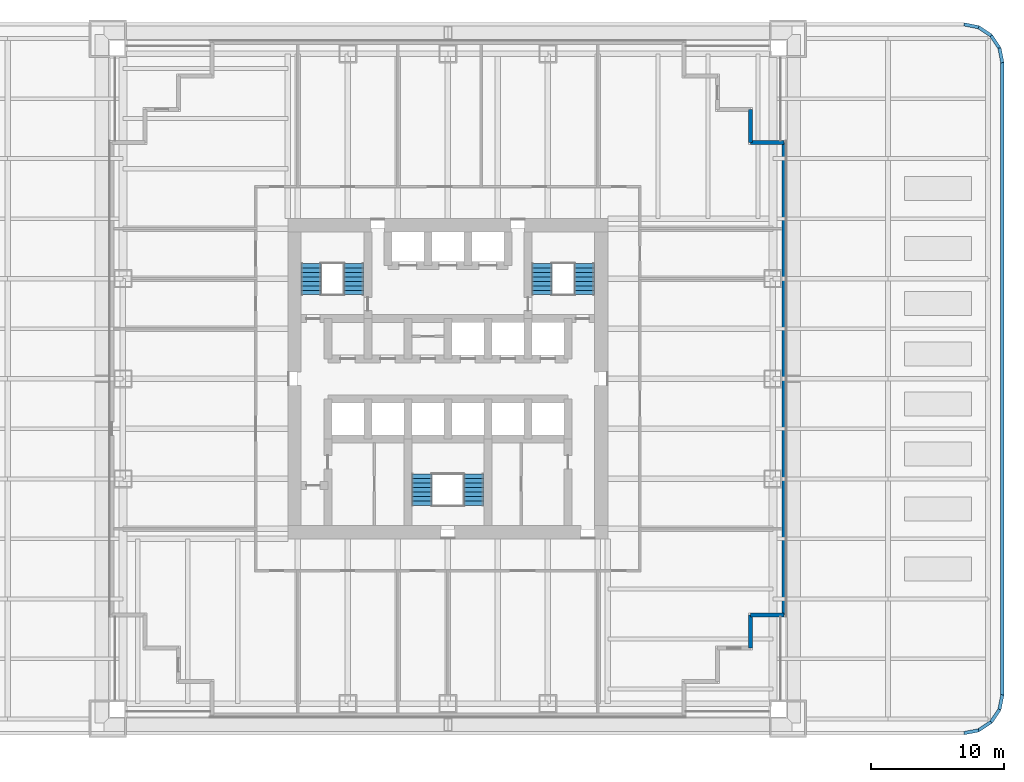
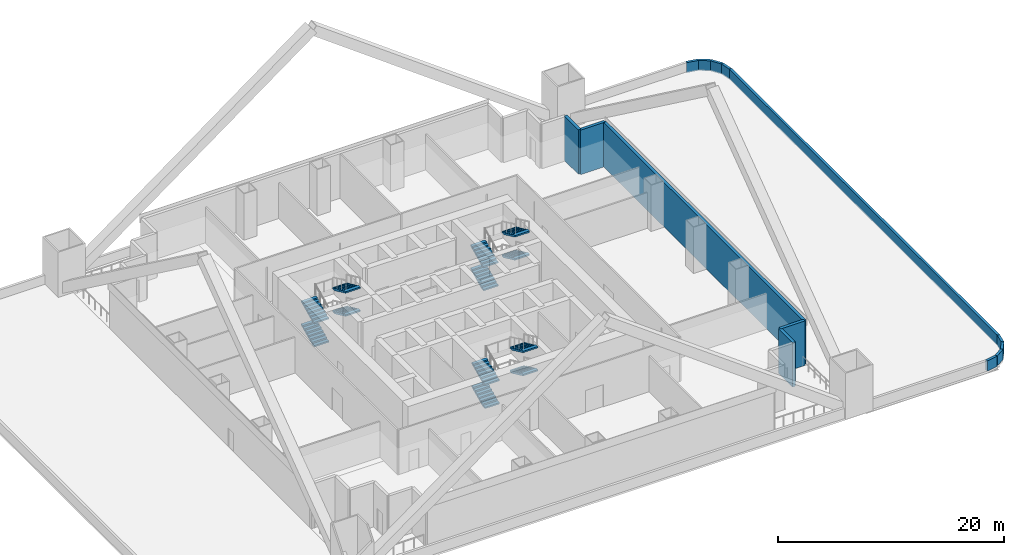
# One storey, part 8 of 10: 14 walls, 12 stair flights, 3 elements without a shape of their own.
"""IFC4 building model written with IfcOpenShell, lengths in metres."""

from ifc_helpers import new_model, si_unit, direction, frame, frame_2d, origin, place, context, subcontext, project, spatial, polyline, rectangle, outline, extrude, material, layer, layer_set, type_object, element, aggregate, save


model = new_model("IFC4")

# Units and contexts
model_context = context("Model", 3, precision=1e-05, world=origin(), true_north=direction((0.0, 1.0)))
body_context = subcontext(model_context, "Body", "Model", "MODEL_VIEW")
ifc_project = project(units=[si_unit("LENGTHUNIT", "METRE"), si_unit("AREAUNIT", "SQUARE_METRE"), si_unit("VOLUMEUNIT", "CUBIC_METRE"), si_unit("PLANEANGLEUNIT", "RADIAN"), si_unit("MASSUNIT", "GRAM", prefix="KILO")], contexts=[model_context])

# Site, building, storey
site_placement = place(None, origin())
site = spatial("IfcSite", under=ifc_project, at=site_placement, CompositionType="ELEMENT")
building_placement = place(site_placement, origin())
building = spatial("IfcBuilding", under=site, at=building_placement, Name="Tarangal Relay Tower", CompositionType="ELEMENT")
storey_placement = place(building_placement, frame((0.0, 0.0, 23.39990234375)))
storey = spatial("IfcBuildingStorey", under=building, at=storey_placement, Name="L04", CompositionType="ELEMENT", Elevation=23.39990234375)

# Walls
ifc_material_1 = material(Name="Insulated precast concrete fc' 40 MPa", Category="concrete")
ifc_layer_1 = layer(ifc_material_1, 0.300048828125)
ifc_layer_set_1 = layer_set([ifc_layer_1], Name="Insulated precast concrete fc' 40 MPa")
wall_type_1 = type_object("IfcWallType", Name="Facade wall precast 300", PredefinedType="SOLIDWALL", material=ifc_layer_set_1)
for number, where, z_axis, x_axis, name in (
    (1, (22.699951171875, 20.199951171875, 0.0), (0.0, 0.0, 1.0), (0.0, -1.0, 0.0), "Facade wall N facade L04"),
    (2, (22.699951171875, 17.699951171875, 0.0), (0.0, 0.0, 1.0), (1.0, 0.0, 0.0), "Facade wall N facade L04"),
):
    element("IfcWall", number, at=place(storey_placement, frame(where, z_axis=z_axis, x_axis=x_axis)), inside=storey, type_object=wall_type_1, Name=name, PredefinedType="SOLIDWALL", context=body_context, shape_type="SweptSolid", body=[
        extrude(rectangle(XDim=2.5, YDim=0.300048828125, at=frame_2d((1.25, 0.0))), origin(), (0.0, 0.0, 1.0), 4.800048828125),
    ])
wall_1_placement = place(storey_placement, frame((25.199951171875, 17.699951171875, 0.0), z_axis=(0.0, 0.0, 1.0), x_axis=(0.0, -1.0, 0.0)))
element("IfcWall", 3, at=wall_1_placement, inside=storey, type_object=wall_type_1, Name="Facade wall E facade L04", PredefinedType="SOLIDWALL", context=body_context, shape_type="SweptSolid", body=[
    extrude(rectangle(XDim=35.39990234375, YDim=0.300048828125, at=frame_2d((17.699951171875, 0.0))), origin(), (0.0, 0.0, 1.0), 4.800048828125),
])
for number, where, z_axis, x_axis, name in (
    (4, (25.199951171875, -17.699951171875, 0.0), (0.0, 0.0, 1.0), (-1.0, 0.0, 0.0), "Facade wall E facade L04"),
    (5, (22.699951171875, -17.699951171875, 0.0), (0.0, 0.0, 1.0), (0.0, -1.0, 0.0), "Facade wall E facade L04"),
):
    element("IfcWall", number, at=place(storey_placement, frame(where, z_axis=z_axis, x_axis=x_axis)), inside=storey, type_object=wall_type_1, Name=name, PredefinedType="SOLIDWALL", context=body_context, shape_type="SweptSolid", body=[
        extrude(rectangle(XDim=2.5, YDim=0.300048828125, at=frame_2d((1.25, 0.0))), origin(), (0.0, 0.0, 1.0), 4.800048828125),
    ])
ifc_material_2 = material(Name="Concrete parapet with metal coping", Category="concrete")
ifc_layer_2 = layer(ifc_material_2, 0.25)
ifc_layer_set_2 = layer_set([ifc_layer_2], Name="Parapet 250")
wall_type_2 = type_object("IfcWallType", Name="Parapet 250", PredefinedType="PARAPET", material=ifc_layer_set_2)
for number, where, z_axis, x_axis, name in (
    (6, (41.574951171875, 23.699951171875, 0.0), (0.0, 0.0, 1.0), (-0.194986063374, 0.980806012976, 0.0), "Podium roof parapet PP1"),
    (7, (41.356201171875, 24.80029296875, 0.0), (0.0, 0.0, 1.0), (-0.555654132075, 0.831413546623, 0.0), "Podium roof parapet PP1"),
    (8, (40.73291015625, 25.73291015625, 0.0), (0.0, 0.0, 1.0), (-0.831413546623, 0.555654132075, 0.0), "Podium roof parapet PP1"),
    (9, (39.80029296875, 26.356201171875, 0.0), (0.0, 0.0, 1.0), (-0.980806012976, 0.194986063374, 0.0), "Podium roof parapet PP1"),
    (10, (38.699951171875, -26.574951171875, 0.0), (0.0, 0.0, 1.0), (0.980806012976, 0.194986063374, 0.0), "Podium roof parapet PP1"),
    (11, (39.80029296875, -26.356201171875, 0.0), (0.0, 0.0, 1.0), (0.831413546623, 0.555654132075, 0.0), "Podium roof parapet PP1"),
    (12, (40.73291015625, -25.73291015625, 0.0), (0.0, 0.0, 1.0), (0.555654132075, 0.831413546623, 0.0), "Podium roof parapet PP1"),
    (13, (41.356201171875, -24.80029296875, 0.0), (0.0, 0.0, 1.0), (0.194986063374, 0.980806012976, 0.0), "Podium roof parapet PP1"),
):
    element("IfcWall", number, at=place(storey_placement, frame(where, z_axis=z_axis, x_axis=x_axis)), inside=storey, type_object=wall_type_2, Name=name, PredefinedType="PARAPET", context=body_context, shape_type="SweptSolid", body=[
        extrude(rectangle(XDim=1.121826171875, YDim=0.25, at=frame_2d((0.56103515625, 0.0))), origin(), (0.0, 0.0, 1.0), 1.10009765625),
    ])
wall_2_placement = place(storey_placement, frame((41.574951171875, -23.699951171875, 0.0), z_axis=(0.0, 0.0, 1.0), x_axis=(0.0, 1.0, 0.0)))
element("IfcWall", 14, at=wall_2_placement, inside=storey, type_object=wall_type_2, Name="Podium roof parapet PP1", PredefinedType="PARAPET", context=body_context, shape_type="SweptSolid", body=[
    extrude(rectangle(XDim=47.39990234375, YDim=0.25, at=frame_2d((23.699951171875, 0.0))), origin(), (0.0, 0.0, 1.0), 1.10009765625),
])

# Stair, stair flights
ifc_material_3 = material(Name="Steel ASTM A992 stair flight", Category="steel")
stair_type = type_object("IfcStairType", Name="Core stair 1500", PredefinedType="HALF_TURN_STAIR", material=ifc_material_3)
stair_1_placement = place(storey_placement, origin())
stair_1 = element("IfcStair", 15, at=stair_1_placement, inside=storey, type_object=stair_type, Name="Stair ST-A L04", PredefinedType="HALF_TURN_STAIR")
stair_flight_type = type_object("IfcStairFlightType", Name="Steel stair flight 1500, 8 risers 156 x 335", PredefinedType="STRAIGHT", material=ifc_material_3)
stair_flight_1_placement = place(storey_placement, frame((-10.25, 6.300048828125, 0.0), z_axis=(0.0, 0.0, 1.0), x_axis=(0.0, 1.0, 0.0)))
stair_flight_1 = element("IfcStairFlight", 16, at=stair_flight_1_placement, type_object=stair_flight_type, Name="ST-A flight 1", NumberOfRisers=8, NumberOfTreads=7, PredefinedType="STRAIGHT", RiserHeight=0.15625, TreadLength=0.335, context=body_context, shape_type="SweptSolid", body=[
    extrude(outline(polyline([(0.0, 0.0), (0.0, 0.15625), (0.3349609375, 0.15625), (0.3349609375, 0.3125), (0.669921875, 0.3125), (0.669921875, 0.46875), (1.0048828125, 0.46875), (1.0048828125, 0.625), (1.340087890625, 0.625), (1.340087890625, 0.78125), (1.675048828125, 0.78125), (1.675048828125, 0.9375), (2.010009765625, 0.9375), (2.010009765625, 1.09375), (2.344970703125, 1.09375), (2.344970703125, 1.25), (2.344970703125, 0.92822265625), (0.354736328125, 0.0), (0.0, 0.0)])), frame((0.0, 0.75, 0.0), z_axis=(0.0, -1.0, 0.0), x_axis=(1.0, 0.0, 0.0)), (0.0, 0.0, 1.0), 1.5),
])
stair_flight_2_placement = place(storey_placement, frame((-7.050048828125, 8.64501953125, 1.25), z_axis=(0.0, 0.0, 1.0), x_axis=(0.0, -1.0, 0.0)))
stair_flight_2 = element("IfcStairFlight", 17, at=stair_flight_2_placement, type_object=stair_flight_type, Name="ST-A flight 2", NumberOfRisers=8, NumberOfTreads=7, PredefinedType="STRAIGHT", RiserHeight=0.15625, TreadLength=0.335, context=body_context, shape_type="SweptSolid", body=[
    extrude(outline(polyline([(0.0, 0.0), (0.0, 0.15625), (0.3349609375, 0.15625), (0.3349609375, 0.3125), (0.669921875, 0.3125), (0.669921875, 0.46875), (1.0048828125, 0.46875), (1.0048828125, 0.625), (1.340087890625, 0.625), (1.340087890625, 0.78125), (1.675048828125, 0.78125), (1.675048828125, 0.9375), (2.010009765625, 0.9375), (2.010009765625, 1.09375), (2.344970703125, 1.09375), (2.344970703125, 1.25), (2.344970703125, 0.92822265625), (0.354736328125, 0.0), (0.0, 0.0)])), frame((0.0, 0.75, 0.0), z_axis=(0.0, -1.0, 0.0), x_axis=(1.0, 0.0, 0.0)), (0.0, 0.0, 1.0), 1.5),
])
stair_flight_3_placement = place(storey_placement, frame((-10.25, 6.300048828125, 2.5), z_axis=(0.0, 0.0, 1.0), x_axis=(0.0, 1.0, 0.0)))
stair_flight_3 = element("IfcStairFlight", 18, at=stair_flight_3_placement, type_object=stair_flight_type, Name="ST-A flight 3", NumberOfRisers=8, NumberOfTreads=7, PredefinedType="STRAIGHT", RiserHeight=0.15625, TreadLength=0.335, context=body_context, shape_type="SweptSolid", body=[
    extrude(outline(polyline([(0.0, 0.0), (0.0, 0.15625), (0.3349609375, 0.15625), (0.3349609375, 0.3125), (0.669921875, 0.3125), (0.669921875, 0.46875), (1.0048828125, 0.46875), (1.0048828125, 0.625), (1.340087890625, 0.625), (1.340087890625, 0.78125), (1.675048828125, 0.78125), (1.675048828125, 0.9375), (2.010009765625, 0.9375), (2.010009765625, 1.09375), (2.344970703125, 1.09375), (2.344970703125, 1.25), (2.344970703125, 0.92822265625), (0.354736328125, 0.0), (0.0, 0.0)])), frame((0.0, 0.75, 0.0), z_axis=(0.0, -1.0, 0.0), x_axis=(1.0, 0.0, 0.0)), (0.0, 0.0, 1.0), 1.5),
])
stair_flight_4_placement = place(storey_placement, frame((-7.050048828125, 8.64501953125, 3.75), z_axis=(0.0, 0.0, 1.0), x_axis=(0.0, -1.0, 0.0)))
stair_flight_4 = element("IfcStairFlight", 19, at=stair_flight_4_placement, type_object=stair_flight_type, Name="ST-A flight 4", NumberOfRisers=8, NumberOfTreads=7, PredefinedType="STRAIGHT", RiserHeight=0.15625, TreadLength=0.335, context=body_context, shape_type="SweptSolid", body=[
    extrude(outline(polyline([(0.0, 0.0), (0.0, 0.15625), (0.3349609375, 0.15625), (0.3349609375, 0.3125), (0.669921875, 0.3125), (0.669921875, 0.46875), (1.0048828125, 0.46875), (1.0048828125, 0.625), (1.340087890625, 0.625), (1.340087890625, 0.78125), (1.675048828125, 0.78125), (1.675048828125, 0.9375), (2.010009765625, 0.9375), (2.010009765625, 1.09375), (2.344970703125, 1.09375), (2.344970703125, 1.25), (2.344970703125, 0.92822265625), (0.354736328125, 0.0), (0.0, 0.0)])), frame((0.0, 0.75, 0.0), z_axis=(0.0, -1.0, 0.0), x_axis=(1.0, 0.0, 0.0)), (0.0, 0.0, 1.0), 1.5),
])
aggregate(stair_1, [stair_flight_1, stair_flight_2, stair_flight_3, stair_flight_4])

stair_2_placement = place(storey_placement, origin())
stair_2 = element("IfcStair", 20, at=stair_2_placement, inside=storey, type_object=stair_type, Name="Stair ST-B L04", PredefinedType="HALF_TURN_STAIR")
stair_flight_5_placement = place(storey_placement, frame((7.050048828125, 6.300048828125, 0.0), z_axis=(0.0, 0.0, 1.0), x_axis=(0.0, 1.0, 0.0)))
stair_flight_5 = element("IfcStairFlight", 21, at=stair_flight_5_placement, type_object=stair_flight_type, Name="ST-B flight 1", NumberOfRisers=8, NumberOfTreads=7, PredefinedType="STRAIGHT", RiserHeight=0.15625, TreadLength=0.335, context=body_context, shape_type="SweptSolid", body=[
    extrude(outline(polyline([(0.0, 0.0), (0.0, 0.15625), (0.3349609375, 0.15625), (0.3349609375, 0.3125), (0.669921875, 0.3125), (0.669921875, 0.46875), (1.0048828125, 0.46875), (1.0048828125, 0.625), (1.340087890625, 0.625), (1.340087890625, 0.78125), (1.675048828125, 0.78125), (1.675048828125, 0.9375), (2.010009765625, 0.9375), (2.010009765625, 1.09375), (2.344970703125, 1.09375), (2.344970703125, 1.25), (2.344970703125, 0.92822265625), (0.354736328125, 0.0), (0.0, 0.0)])), frame((0.0, 0.75, 0.0), z_axis=(0.0, -1.0, 0.0), x_axis=(1.0, 0.0, 0.0)), (0.0, 0.0, 1.0), 1.5),
])
stair_flight_6_placement = place(storey_placement, frame((10.25, 8.64501953125, 1.25), z_axis=(0.0, 0.0, 1.0), x_axis=(0.0, -1.0, 0.0)))
stair_flight_6 = element("IfcStairFlight", 22, at=stair_flight_6_placement, type_object=stair_flight_type, Name="ST-B flight 2", NumberOfRisers=8, NumberOfTreads=7, PredefinedType="STRAIGHT", RiserHeight=0.15625, TreadLength=0.335, context=body_context, shape_type="SweptSolid", body=[
    extrude(outline(polyline([(0.0, 0.0), (0.0, 0.15625), (0.3349609375, 0.15625), (0.3349609375, 0.3125), (0.669921875, 0.3125), (0.669921875, 0.46875), (1.0048828125, 0.46875), (1.0048828125, 0.625), (1.340087890625, 0.625), (1.340087890625, 0.78125), (1.675048828125, 0.78125), (1.675048828125, 0.9375), (2.010009765625, 0.9375), (2.010009765625, 1.09375), (2.344970703125, 1.09375), (2.344970703125, 1.25), (2.344970703125, 0.92822265625), (0.354736328125, 0.0), (0.0, 0.0)])), frame((0.0, 0.75, 0.0), z_axis=(0.0, -1.0, 0.0), x_axis=(1.0, 0.0, 0.0)), (0.0, 0.0, 1.0), 1.5),
])
stair_flight_7_placement = place(storey_placement, frame((7.050048828125, 6.300048828125, 2.5), z_axis=(0.0, 0.0, 1.0), x_axis=(0.0, 1.0, 0.0)))
stair_flight_7 = element("IfcStairFlight", 23, at=stair_flight_7_placement, type_object=stair_flight_type, Name="ST-B flight 3", NumberOfRisers=8, NumberOfTreads=7, PredefinedType="STRAIGHT", RiserHeight=0.15625, TreadLength=0.335, context=body_context, shape_type="SweptSolid", body=[
    extrude(outline(polyline([(0.0, 0.0), (0.0, 0.15625), (0.3349609375, 0.15625), (0.3349609375, 0.3125), (0.669921875, 0.3125), (0.669921875, 0.46875), (1.0048828125, 0.46875), (1.0048828125, 0.625), (1.340087890625, 0.625), (1.340087890625, 0.78125), (1.675048828125, 0.78125), (1.675048828125, 0.9375), (2.010009765625, 0.9375), (2.010009765625, 1.09375), (2.344970703125, 1.09375), (2.344970703125, 1.25), (2.344970703125, 0.92822265625), (0.354736328125, 0.0), (0.0, 0.0)])), frame((0.0, 0.75, 0.0), z_axis=(0.0, -1.0, 0.0), x_axis=(1.0, 0.0, 0.0)), (0.0, 0.0, 1.0), 1.5),
])
stair_flight_8_placement = place(storey_placement, frame((10.25, 8.64501953125, 3.75), z_axis=(0.0, 0.0, 1.0), x_axis=(0.0, -1.0, 0.0)))
stair_flight_8 = element("IfcStairFlight", 24, at=stair_flight_8_placement, type_object=stair_flight_type, Name="ST-B flight 4", NumberOfRisers=8, NumberOfTreads=7, PredefinedType="STRAIGHT", RiserHeight=0.15625, TreadLength=0.335, context=body_context, shape_type="SweptSolid", body=[
    extrude(outline(polyline([(0.0, 0.0), (0.0, 0.15625), (0.3349609375, 0.15625), (0.3349609375, 0.3125), (0.669921875, 0.3125), (0.669921875, 0.46875), (1.0048828125, 0.46875), (1.0048828125, 0.625), (1.340087890625, 0.625), (1.340087890625, 0.78125), (1.675048828125, 0.78125), (1.675048828125, 0.9375), (2.010009765625, 0.9375), (2.010009765625, 1.09375), (2.344970703125, 1.09375), (2.344970703125, 1.25), (2.344970703125, 0.92822265625), (0.354736328125, 0.0), (0.0, 0.0)])), frame((0.0, 0.75, 0.0), z_axis=(0.0, -1.0, 0.0), x_axis=(1.0, 0.0, 0.0)), (0.0, 0.0, 1.0), 1.5),
])
aggregate(stair_2, [stair_flight_5, stair_flight_6, stair_flight_7, stair_flight_8])

stair_3_placement = place(storey_placement, origin())
stair_3 = element("IfcStair", 25, at=stair_3_placement, inside=storey, type_object=stair_type, Name="Stair ST-C L04", PredefinedType="HALF_TURN_STAIR")
stair_flight_9_placement = place(storey_placement, frame((-1.949951171875, -9.5, 0.0), z_axis=(0.0, 0.0, 1.0), x_axis=(0.0, 1.0, 0.0)))
stair_flight_9 = element("IfcStairFlight", 26, at=stair_flight_9_placement, type_object=stair_flight_type, Name="ST-C flight 1", NumberOfRisers=8, NumberOfTreads=7, PredefinedType="STRAIGHT", RiserHeight=0.15625, TreadLength=0.335, context=body_context, shape_type="SweptSolid", body=[
    extrude(outline(polyline([(0.0, 0.0), (0.0, 0.15625), (0.3349609375, 0.15625), (0.3349609375, 0.3125), (0.669921875, 0.3125), (0.669921875, 0.46875), (1.0048828125, 0.46875), (1.0048828125, 0.625), (1.340087890625, 0.625), (1.340087890625, 0.78125), (1.675048828125, 0.78125), (1.675048828125, 0.9375), (2.010009765625, 0.9375), (2.010009765625, 1.09375), (2.344970703125, 1.09375), (2.344970703125, 1.25), (2.344970703125, 0.92822265625), (0.354736328125, 0.0), (0.0, 0.0)])), frame((0.0, 0.75, 0.0), z_axis=(0.0, -1.0, 0.0), x_axis=(1.0, 0.0, 0.0)), (0.0, 0.0, 1.0), 1.5),
])
stair_flight_10_placement = place(storey_placement, frame((1.949951171875, -7.155029296875, 1.25), z_axis=(0.0, 0.0, 1.0), x_axis=(0.0, -1.0, 0.0)))
stair_flight_10 = element("IfcStairFlight", 27, at=stair_flight_10_placement, type_object=stair_flight_type, Name="ST-C flight 2", NumberOfRisers=8, NumberOfTreads=7, PredefinedType="STRAIGHT", RiserHeight=0.15625, TreadLength=0.335, context=body_context, shape_type="SweptSolid", body=[
    extrude(outline(polyline([(0.0, 0.0), (0.0, 0.15625), (0.3349609375, 0.15625), (0.3349609375, 0.3125), (0.669921875, 0.3125), (0.669921875, 0.46875), (1.0048828125, 0.46875), (1.0048828125, 0.625), (1.340087890625, 0.625), (1.340087890625, 0.78125), (1.675048828125, 0.78125), (1.675048828125, 0.9375), (2.010009765625, 0.9375), (2.010009765625, 1.09375), (2.344970703125, 1.09375), (2.344970703125, 1.25), (2.344970703125, 0.92822265625), (0.354736328125, 0.0), (0.0, 0.0)])), frame((0.0, 0.75, 0.0), z_axis=(0.0, -1.0, 0.0), x_axis=(1.0, 0.0, 0.0)), (0.0, 0.0, 1.0), 1.5),
])
stair_flight_11_placement = place(storey_placement, frame((-1.949951171875, -9.5, 2.5), z_axis=(0.0, 0.0, 1.0), x_axis=(0.0, 1.0, 0.0)))
stair_flight_11 = element("IfcStairFlight", 28, at=stair_flight_11_placement, type_object=stair_flight_type, Name="ST-C flight 3", NumberOfRisers=8, NumberOfTreads=7, PredefinedType="STRAIGHT", RiserHeight=0.15625, TreadLength=0.335, context=body_context, shape_type="SweptSolid", body=[
    extrude(outline(polyline([(0.0, 0.0), (0.0, 0.15625), (0.3349609375, 0.15625), (0.3349609375, 0.3125), (0.669921875, 0.3125), (0.669921875, 0.46875), (1.0048828125, 0.46875), (1.0048828125, 0.625), (1.340087890625, 0.625), (1.340087890625, 0.78125), (1.675048828125, 0.78125), (1.675048828125, 0.9375), (2.010009765625, 0.9375), (2.010009765625, 1.09375), (2.344970703125, 1.09375), (2.344970703125, 1.25), (2.344970703125, 0.92822265625), (0.354736328125, 0.0), (0.0, 0.0)])), frame((0.0, 0.75, 0.0), z_axis=(0.0, -1.0, 0.0), x_axis=(1.0, 0.0, 0.0)), (0.0, 0.0, 1.0), 1.5),
])
stair_flight_12_placement = place(storey_placement, frame((1.949951171875, -7.155029296875, 3.75), z_axis=(0.0, 0.0, 1.0), x_axis=(0.0, -1.0, 0.0)))
stair_flight_12 = element("IfcStairFlight", 29, at=stair_flight_12_placement, type_object=stair_flight_type, Name="ST-C flight 4", NumberOfRisers=8, NumberOfTreads=7, PredefinedType="STRAIGHT", RiserHeight=0.15625, TreadLength=0.335, context=body_context, shape_type="SweptSolid", body=[
    extrude(outline(polyline([(0.0, 0.0), (0.0, 0.15625), (0.3349609375, 0.15625), (0.3349609375, 0.3125), (0.669921875, 0.3125), (0.669921875, 0.46875), (1.0048828125, 0.46875), (1.0048828125, 0.625), (1.340087890625, 0.625), (1.340087890625, 0.78125), (1.675048828125, 0.78125), (1.675048828125, 0.9375), (2.010009765625, 0.9375), (2.010009765625, 1.09375), (2.344970703125, 1.09375), (2.344970703125, 1.25), (2.344970703125, 0.92822265625), (0.354736328125, 0.0), (0.0, 0.0)])), frame((0.0, 0.75, 0.0), z_axis=(0.0, -1.0, 0.0), x_axis=(1.0, 0.0, 0.0)), (0.0, 0.0, 1.0), 1.5),
])
aggregate(stair_3, [stair_flight_9, stair_flight_10, stair_flight_11, stair_flight_12])

save(model, "model.ifc")
